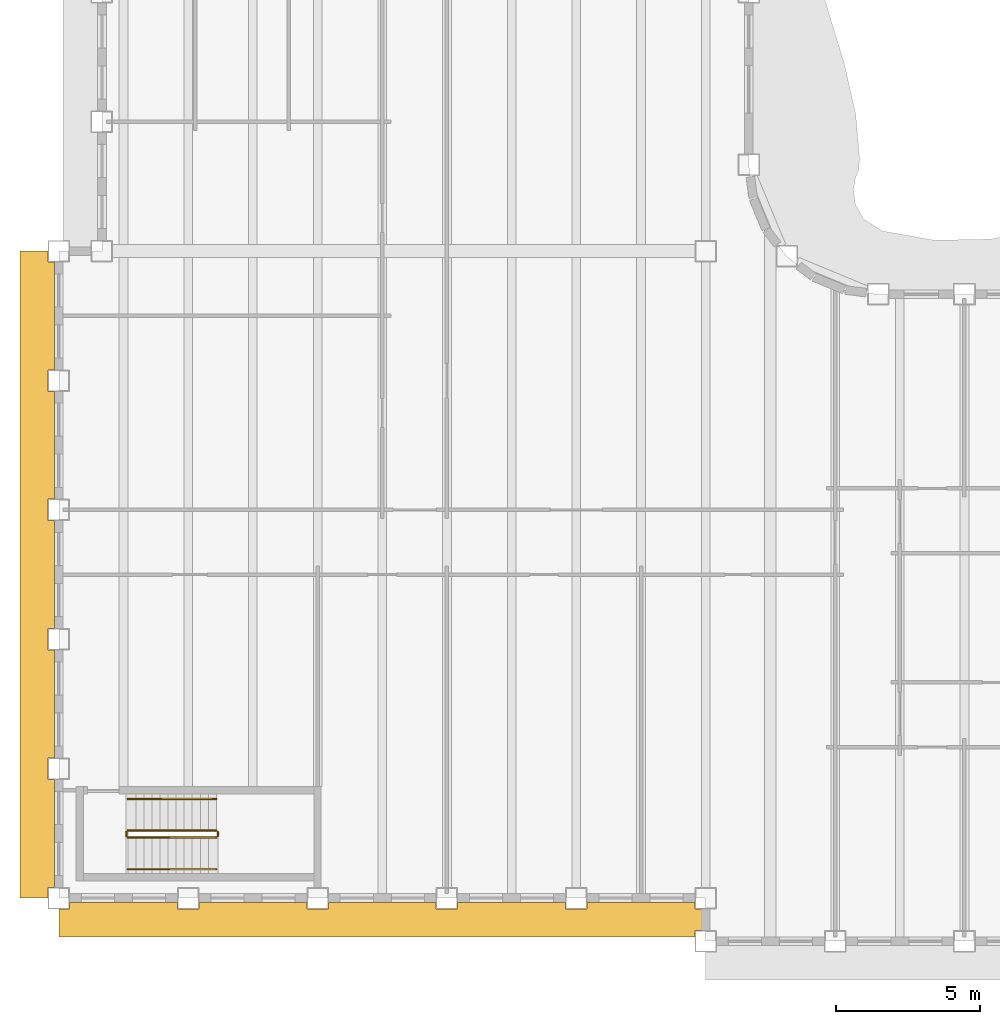
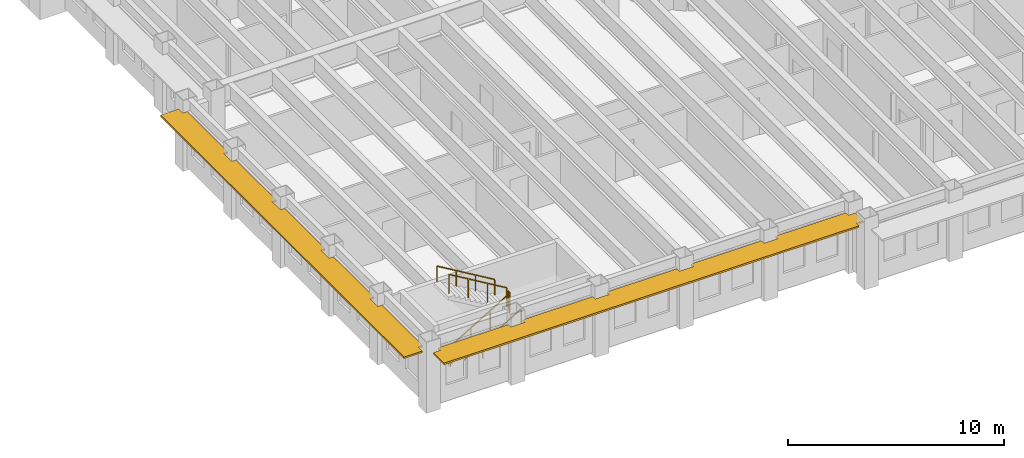
# One storey, part 11 of 16: 6 railings, 2 shading devices.
"""IFC4 building model written with IfcOpenShell, lengths in metres."""

from ifc_helpers import new_model, si_unit, direction, frame, origin, origin_2d, place, context, subcontext, project, spatial, polyline, rectangle, outline, extrude, material, layer, layer_set, type_object, element, save


model = new_model("IFC4")

# Units and contexts
model_context = context("Model", 3, precision=1e-05, world=origin(), true_north=direction((0.0, 1.0)))
body_context = subcontext(model_context, "Body", "Model", "MODEL_VIEW")
ifc_project = project(units=[si_unit("LENGTHUNIT", "METRE"), si_unit("AREAUNIT", "SQUARE_METRE"), si_unit("VOLUMEUNIT", "CUBIC_METRE"), si_unit("PLANEANGLEUNIT", "RADIAN"), si_unit("MASSUNIT", "GRAM", prefix="KILO")], contexts=[model_context])

# Site, building, storey
site_placement = place(None, origin())
site = spatial("IfcSite", under=ifc_project, at=site_placement, CompositionType="ELEMENT")
building_placement = place(site_placement, origin())
building = spatial("IfcBuilding", under=site, at=building_placement, Name="Sennacour Bend Tower", CompositionType="ELEMENT")
storey_placement = place(building_placement, frame((0.0, 0.0, 211.0)))
storey = spatial("IfcBuildingStorey", under=building, at=storey_placement, Name="L48", CompositionType="ELEMENT", Elevation=211.0)

# Railings
ifc_material_1 = material(Name="Stainless steel", Category="steel")
railing_type_1 = type_object("IfcRailingType", Name="RL-GUARD-1100", PredefinedType="GUARDRAIL", material=ifc_material_1)
railing_1_placement = place(storey_placement, frame((2.39990234375, 2.10009765625, 0.166748046875)))
element("IfcRailing", 1, at=railing_1_placement, inside=storey, type_object=railing_type_1, Name="L48 SK1 stair guard 1", PredefinedType="GUARDRAIL", context=body_context, shape_type="SweptSolid", body=[
    extrude(rectangle(XDim=0.048095703125, YDim=0.048095703125, at=origin_2d()), frame((0.0, 0.0, 1.076171875), z_axis=(0.859308565015, 0.0, 0.511457515432), x_axis=(0.0, 1.0, 0.0)), (0.0, 0.0, 1.0), 3.58447265625),
    extrude(rectangle(XDim=0.0419921875, YDim=0.0419921875, at=origin_2d()), origin(), (0.0, 0.0, 1.0), 1.052001953125),
    extrude(rectangle(XDim=0.0419921875, YDim=0.0419921875, at=origin_2d()), frame((1.026611328125, 0.0, 0.611083984375)), (0.0, 0.0, 1.0), 1.052001953125),
    extrude(rectangle(XDim=0.0419921875, YDim=0.0419921875, at=origin_2d()), frame((2.053466796875, 0.0, 1.22216796875)), (0.0, 0.0, 1.0), 1.052001953125),
    extrude(rectangle(XDim=0.0419921875, YDim=0.0419921875, at=origin_2d()), frame((3.080078125, 0.0, 1.833251953125)), (0.0, 0.0, 1.0), 1.052001953125),
])
railing_2_placement = place(storey_placement, frame((5.530029296875, 2.14990234375, 2.0)))
element("IfcRailing", 2, at=railing_2_placement, inside=storey, type_object=railing_type_1, Name="L48 SK1 stair guard 2", PredefinedType="GUARDRAIL", context=body_context, shape_type="SweptSolid", body=[
    extrude(rectangle(XDim=0.048095703125, YDim=0.048095703125, at=origin_2d()), frame((0.0, 0.0, 1.076171875), z_axis=(0.0, 1.0, 0.0), x_axis=(-1.0, 0.0, 0.0)), (0.0, 0.0, 1.0), 0.150146484375),
    extrude(rectangle(XDim=0.0419921875, YDim=0.0419921875, at=origin_2d()), origin(), (0.0, 0.0, 1.0), 1.052001953125),
    extrude(rectangle(XDim=0.0419921875, YDim=0.0419921875, at=origin_2d()), frame((0.0, 0.150146484375, 0.0)), (0.0, 0.0, 1.0), 1.052001953125),
])
railing_3_placement = place(storey_placement, frame((5.47998046875, 2.35009765625, 2.166748046875)))
element("IfcRailing", 3, at=railing_3_placement, inside=storey, type_object=railing_type_1, Name="L48 SK1 stair guard 3", PredefinedType="GUARDRAIL", context=body_context, shape_type="SweptSolid", body=[
    extrude(rectangle(XDim=0.048095703125, YDim=0.048095703125, at=origin_2d()), frame((0.0, 0.0, 1.076171875), z_axis=(-0.859308565015, 0.0, 0.511457515432), x_axis=(0.0, -1.0, 0.0)), (0.0, 0.0, 1.0), 3.58447265625),
    extrude(rectangle(XDim=0.0419921875, YDim=0.0419921875, at=origin_2d()), origin(), (0.0, 0.0, 1.0), 1.052001953125),
    extrude(rectangle(XDim=0.0419921875, YDim=0.0419921875, at=origin_2d()), frame((-1.026611328125, 0.0, 0.611083984375)), (0.0, 0.0, 1.0), 1.052001953125),
    extrude(rectangle(XDim=0.0419921875, YDim=0.0419921875, at=origin_2d()), frame((-2.053466796875, 0.0, 1.22216796875)), (0.0, 0.0, 1.0), 1.052001953125),
    extrude(rectangle(XDim=0.0419921875, YDim=0.0419921875, at=origin_2d()), frame((-3.080078125, 0.0, 1.833251953125)), (0.0, 0.0, 1.0), 1.052001953125),
])
railing_4_placement = place(storey_placement, frame((2.35009765625, 2.14990234375, 0.0)))
element("IfcRailing", 4, at=railing_4_placement, inside=storey, type_object=railing_type_1, Name="L48 SK1 stair guard 4", PredefinedType="GUARDRAIL", context=body_context, shape_type="SweptSolid", body=[
    extrude(rectangle(XDim=0.048095703125, YDim=0.048095703125, at=origin_2d()), frame((0.0, 0.0, 1.076171875), z_axis=(0.0, 1.0, 0.0), x_axis=(-1.0, 0.0, 0.0)), (0.0, 0.0, 1.0), 0.150146484375),
    extrude(rectangle(XDim=0.0419921875, YDim=0.0419921875, at=origin_2d()), origin(), (0.0, 0.0, 1.0), 1.052001953125),
    extrude(rectangle(XDim=0.0419921875, YDim=0.0419921875, at=origin_2d()), frame((0.0, 0.150146484375, 0.0)), (0.0, 0.0, 1.0), 1.052001953125),
])
railing_type_2 = type_object("IfcRailingType", Name="RL-HANDRAIL-900", PredefinedType="HANDRAIL", material=ifc_material_1)
railing_5_placement = place(storey_placement, frame((2.39990234375, 1.0, 0.166748046875)))
element("IfcRailing", 5, at=railing_5_placement, inside=storey, type_object=railing_type_2, Name="L48 SK1 stair handrail 1", PredefinedType="HANDRAIL", context=body_context, shape_type="SweptSolid", body=[
    extrude(rectangle(XDim=0.048095703125, YDim=0.048095703125, at=origin_2d()), frame((0.0, 0.0, 0.8759765625), z_axis=(0.859308565015, 0.0, 0.511457515432), x_axis=(0.0, 1.0, 0.0)), (0.0, 0.0, 1.0), 3.58447265625),
    extrude(rectangle(XDim=0.0419921875, YDim=0.0419921875, at=origin_2d()), origin(), (0.0, 0.0, 1.0), 0.851806640625),
    extrude(rectangle(XDim=0.0419921875, YDim=0.0419921875, at=origin_2d()), frame((1.026611328125, 0.0, 0.611083984375)), (0.0, 0.0, 1.0), 0.851806640625),
    extrude(rectangle(XDim=0.0419921875, YDim=0.0419921875, at=origin_2d()), frame((2.053466796875, 0.0, 1.22216796875)), (0.0, 0.0, 1.0), 0.851806640625),
    extrude(rectangle(XDim=0.0419921875, YDim=0.0419921875, at=origin_2d()), frame((3.080078125, 0.0, 1.833251953125)), (0.0, 0.0, 1.0), 0.851806640625),
])
railing_6_placement = place(storey_placement, frame((5.47998046875, 3.449951171875, 2.166748046875)))
element("IfcRailing", 6, at=railing_6_placement, inside=storey, type_object=railing_type_2, Name="L48 SK1 stair handrail 2", PredefinedType="HANDRAIL", context=body_context, shape_type="SweptSolid", body=[
    extrude(rectangle(XDim=0.048095703125, YDim=0.048095703125, at=origin_2d()), frame((0.0, 0.0, 0.8759765625), z_axis=(-0.859308565015, 0.0, 0.511457515432), x_axis=(0.0, -1.0, 0.0)), (0.0, 0.0, 1.0), 3.58447265625),
    extrude(rectangle(XDim=0.0419921875, YDim=0.0419921875, at=origin_2d()), origin(), (0.0, 0.0, 1.0), 0.851806640625),
    extrude(rectangle(XDim=0.0419921875, YDim=0.0419921875, at=origin_2d()), frame((-1.026611328125, 0.0, 0.611083984375)), (0.0, 0.0, 1.0), 0.851806640625),
    extrude(rectangle(XDim=0.0419921875, YDim=0.0419921875, at=origin_2d()), frame((-2.053466796875, 0.0, 1.22216796875)), (0.0, 0.0, 1.0), 0.851806640625),
    extrude(rectangle(XDim=0.0419921875, YDim=0.0419921875, at=origin_2d()), frame((-3.080078125, 0.0, 1.833251953125)), (0.0, 0.0, 1.0), 0.851806640625),
])

# Shading devices
ifc_material_2 = material(Name="Bronze anodised aluminium", Category="aluminium")
ifc_layer = layer(ifc_material_2, 0.10009765625, Name="Bronze anodised aluminium", Category="aluminium")
ifc_layer_set = layer_set([ifc_layer], Name="Bronze anodised aluminium")
shading_device_type = type_object("IfcShadingDeviceType", Name="SUNSHADE BAND STRAIGHT", PredefinedType="USERDEFINED", material=ifc_layer_set)
shading_device_1_placement = place(storey_placement, frame((0.0, 0.0, 3.056884765625)))
element("IfcShadingDevice", 7, at=shading_device_1_placement, inside=storey, type_object=shading_device_type, Name="Sunshade band L48 K outer face", ObjectType="SUNSHADE", PredefinedType="USERDEFINED", context=body_context, shape_type="SweptSolid", body=[
    extrude(outline(polyline([(-0.14990234375, 18.375), (-0.375, 18.375), (-0.375, 17.625), (-0.14990234375, 17.625), (-0.14990234375, 13.875), (-0.375, 13.875), (-0.375, 13.125), (-0.14990234375, 13.125), (-0.14990234375, 9.375), (-0.375, 9.375), (-0.375, 8.625), (-0.14990234375, 8.625), (-0.14990234375, 4.875), (-0.375, 4.875), (-0.375, 4.125), (-0.14990234375, 4.125), (-0.14990234375, 0.375), (-0.375, 0.375), (-0.375, 0.0), (-1.35009765625, 0.0), (-1.35009765625, 22.5), (-0.375, 22.5), (-0.375, 22.125), (-0.14990234375, 22.125), (-0.14990234375, 18.375)])), origin(), (0.0, 0.0, 1.0), 0.10009765625),
])
shading_device_2_placement = place(storey_placement, frame((0.0, 0.0, 3.056884765625)))
element("IfcShadingDevice", 8, at=shading_device_2_placement, inside=storey, type_object=shading_device_type, Name="Sunshade band L48 K outer face", ObjectType="SUNSHADE", PredefinedType="USERDEFINED", context=body_context, shape_type="SweptSolid", body=[
    extrude(outline(polyline([(4.125, -0.14990234375), (4.125, -0.375), (4.875, -0.375), (4.875, -0.14990234375), (8.625, -0.14990234375), (8.625, -0.375), (9.375, -0.375), (9.375, -0.14990234375), (13.125, -0.14990234375), (13.125, -0.375), (13.875, -0.375), (13.875, -0.14990234375), (17.625, -0.14990234375), (17.625, -0.375), (18.375, -0.375), (18.375, -0.14990234375), (22.125, -0.14990234375), (22.125, -0.375), (22.5, -0.375), (22.5, -1.125), (22.125, -1.125), (22.125, -1.35009765625), (0.0, -1.35009765625), (0.0, -0.375), (0.375, -0.375), (0.375, -0.14990234375), (4.125, -0.14990234375)])), origin(), (0.0, 0.0, 1.0), 0.10009765625),
])

save(model, "model.ifc")
